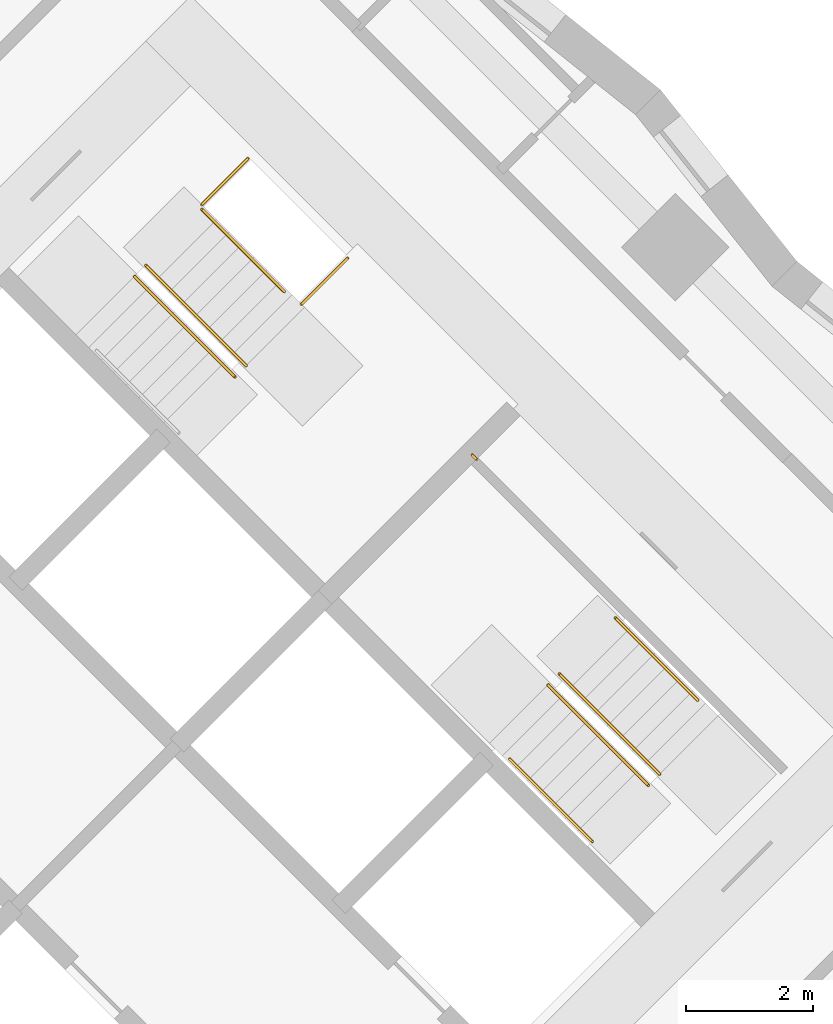
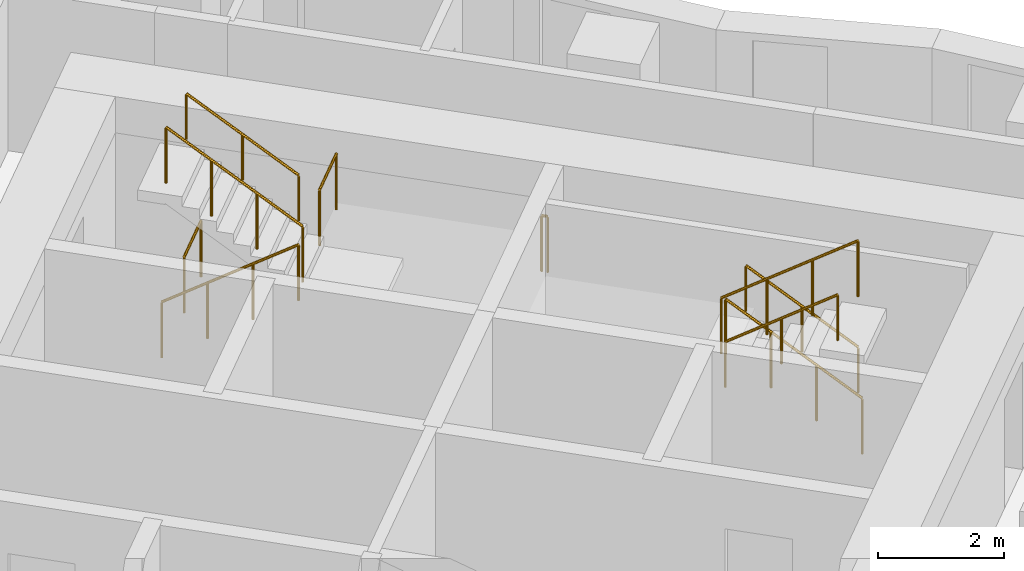
# One storey, part 12 of 12: 10 railings.
"""IFC4 building model written with IfcOpenShell, lengths in metres."""

from ifc_helpers import new_model, si_unit, direction, frame, origin, origin_2d, place, context, subcontext, project, spatial, circle, extrude, material, type_object, element, save


model = new_model("IFC4")

# Units and contexts
model_context = context("Model", 3, precision=1e-05, world=origin(), true_north=direction((0.0, 1.0)))
body_context = subcontext(model_context, "Body", "Model", "MODEL_VIEW")
ifc_project = project(units=[si_unit("LENGTHUNIT", "METRE"), si_unit("AREAUNIT", "SQUARE_METRE"), si_unit("VOLUMEUNIT", "CUBIC_METRE"), si_unit("PLANEANGLEUNIT", "RADIAN"), si_unit("MASSUNIT", "GRAM", prefix="KILO")], contexts=[model_context])

# Site, building, storey
site_placement = place(None, origin())
site = spatial("IfcSite", under=ifc_project, at=site_placement, CompositionType="ELEMENT")
building_placement = place(site_placement, origin())
building = spatial("IfcBuilding", under=site, at=building_placement, Name="Windrow Commons", CompositionType="ELEMENT")
storey_placement = place(building_placement, frame((0.0, 0.0, 37.2)))
storey = spatial("IfcBuildingStorey", under=building, at=storey_placement, Name="L09", CompositionType="ELEMENT", Elevation=37.2)

# Railings
ifc_material_1 = material(Name="Steel S355", Category="steel")
railing_type_1 = type_object("IfcRailingType", Name="Core stair guard 1100", PredefinedType="GUARDRAIL", material=ifc_material_1)
railing_1_placement = place(storey_placement, frame((85.9529, 56.2669, 0.1889)))
element("IfcRailing", 1, at=railing_1_placement, inside=storey, type_object=railing_type_1, Name="L09 ST-B1 stair guard 1", PredefinedType="GUARDRAIL", context=body_context, shape_type="SweptSolid", body=[
    extrude(circle(Radius=0.024, at=origin_2d()), frame((0.0, 0.0, 1.076), z_axis=(0.5861914914, -0.5861914914, 0.5592486664), x_axis=(0.7071067812, 0.7071067812, 0.0)), (0.0, 0.0, 1.0), 2.702),
    extrude(circle(Radius=0.021, at=origin_2d()), origin(), (0.0, 0.0, 1.0), 1.052),
    extrude(circle(Radius=0.021, at=origin_2d()), frame((0.528, -0.528, 0.5037)), (0.0, 0.0, 1.0), 1.052),
    extrude(circle(Radius=0.021, at=origin_2d()), frame((1.0559, -1.0559, 1.0074)), (0.0, 0.0, 1.0), 1.052),
    extrude(circle(Radius=0.021, at=origin_2d()), frame((1.5839, -1.5839, 1.5111)), (0.0, 0.0, 1.0), 1.052),
])
railing_2_placement = place(storey_placement, frame((87.7136, 54.8597, 1.8889)))
element("IfcRailing", 2, at=railing_2_placement, inside=storey, type_object=railing_type_1, Name="L09 ST-B1 stair guard 2", PredefinedType="GUARDRAIL", context=body_context, shape_type="SweptSolid", body=[
    extrude(circle(Radius=0.024, at=origin_2d()), frame((0.0, 0.0, 1.076), z_axis=(-0.5862030657, 0.5862030657, 0.5592244018), x_axis=(-0.7071067812, -0.7071067812, 0.0)), (0.0, 0.0, 1.0), 2.7021),
    extrude(circle(Radius=0.021, at=origin_2d()), origin(), (0.0, 0.0, 1.0), 1.052),
    extrude(circle(Radius=0.021, at=origin_2d()), frame((-0.528, 0.528, 0.5037)), (0.0, 0.0, 1.0), 1.052),
    extrude(circle(Radius=0.021, at=origin_2d()), frame((-1.056, 1.056, 1.0074)), (0.0, 0.0, 1.0), 1.052),
    extrude(circle(Radius=0.021, at=origin_2d()), frame((-1.584, 1.584, 1.5111)), (0.0, 0.0, 1.0), 1.052),
])
railing_3_placement = place(storey_placement, frame((87.0135, 57.3982, 0.0)))
element("IfcRailing", 3, at=railing_3_placement, inside=storey, type_object=railing_type_1, Name="L09 ST-B1 stair guard 3", PredefinedType="GUARDRAIL", context=body_context, shape_type="SweptSolid", body=[
    extrude(circle(Radius=0.024, at=origin_2d()), frame((0.0, 0.0, 1.076), z_axis=(0.7070582378, 0.7071553212, 0.0), x_axis=(-0.7071553212, 0.7070582378, 0.0)), (0.0, 0.0, 1.0), 1.03),
    extrude(circle(Radius=0.021, at=origin_2d()), origin(), (0.0, 0.0, 1.0), 1.052),
    extrude(circle(Radius=0.021, at=origin_2d()), frame((0.7283, 0.7284, 0.0)), (0.0, 0.0, 1.0), 1.052),
])
railing_4_placement = place(storey_placement, frame((88.5833, 55.8285, 1.7)))
element("IfcRailing", 4, at=railing_4_placement, inside=storey, type_object=railing_type_1, Name="L09 ST-B1 stair guard 4", PredefinedType="GUARDRAIL", context=body_context, shape_type="SweptSolid", body=[
    extrude(circle(Radius=0.024, at=origin_2d()), frame((0.0, 0.0, 1.076), z_axis=(0.7071067812, 0.7071067812, 0.0), x_axis=(-0.7071067812, 0.7071067812, 0.0)), (0.0, 0.0, 1.0), 1.03),
    extrude(circle(Radius=0.021, at=origin_2d()), origin(), (0.0, 0.0, 1.0), 1.052),
    extrude(circle(Radius=0.021, at=origin_2d()), frame((0.7283, 0.7283, 0.0)), (0.0, 0.0, 1.0), 1.052),
])
railing_5_placement = place(storey_placement, frame((94.2296, 48.4215, 0.1889)))
element("IfcRailing", 5, at=railing_5_placement, inside=storey, type_object=railing_type_1, Name="L09 ST-B2 stair guard 1", PredefinedType="GUARDRAIL", context=body_context, shape_type="SweptSolid", body=[
    extrude(circle(Radius=0.024, at=origin_2d()), frame((0.0, 0.0, 1.076), z_axis=(-0.5862157828, 0.5861787742, 0.5592365337), x_axis=(-0.7070844598, -0.7071291018, 0.0)), (0.0, 0.0, 1.0), 2.7021),
    extrude(circle(Radius=0.021, at=origin_2d()), origin(), (0.0, 0.0, 1.0), 1.052),
    extrude(circle(Radius=0.021, at=origin_2d()), frame((-0.528, 0.528, 0.5037)), (0.0, 0.0, 1.0), 1.052),
    extrude(circle(Radius=0.021, at=origin_2d()), frame((-1.056, 1.0559, 1.0074)), (0.0, 0.0, 1.0), 1.052),
    extrude(circle(Radius=0.021, at=origin_2d()), frame((-1.584, 1.5839, 1.5111)), (0.0, 0.0, 1.0), 1.052),
])
railing_6_placement = place(storey_placement, frame((92.4689, 49.8287, 1.8889)))
element("IfcRailing", 6, at=railing_6_placement, inside=storey, type_object=railing_type_1, Name="L09 ST-B2 stair guard 2", PredefinedType="GUARDRAIL", context=body_context, shape_type="SweptSolid", body=[
    extrude(circle(Radius=0.024, at=origin_2d()), frame((0.0, 0.0, 1.076), z_axis=(0.5861787742, -0.5862157828, 0.5592365337), x_axis=(0.7071291018, 0.7070844598, 0.0)), (0.0, 0.0, 1.0), 2.7021),
    extrude(circle(Radius=0.021, at=origin_2d()), origin(), (0.0, 0.0, 1.0), 1.052),
    extrude(circle(Radius=0.021, at=origin_2d()), frame((0.528, -0.528, 0.5037)), (0.0, 0.0, 1.0), 1.052),
    extrude(circle(Radius=0.021, at=origin_2d()), frame((1.0559, -1.056, 1.0074)), (0.0, 0.0, 1.0), 1.052),
    extrude(circle(Radius=0.021, at=origin_2d()), frame((1.5839, -1.584, 1.5111)), (0.0, 0.0, 1.0), 1.052),
])
railing_7_placement = place(storey_placement, frame((91.3446, 53.3854, 1.7)))
element("IfcRailing", 7, at=railing_7_placement, inside=storey, type_object=railing_type_1, Name="L09 ST-B2 stair guard 3", PredefinedType="GUARDRAIL", context=body_context, shape_type="SweptSolid", body=[
    extrude(circle(Radius=0.024, at=origin_2d()), frame((0.0, 0.0, 1.076), z_axis=(-0.7076063266, 0.7066068826, 0.0), x_axis=(-0.7066068826, -0.7076063266, 0.0)), (0.0, 0.0, 1.0), 0.1001),
    extrude(circle(Radius=0.021, at=origin_2d()), origin(), (0.0, 0.0, 1.0), 1.052),
    extrude(circle(Radius=0.021, at=origin_2d()), frame((-0.0708, 0.0707, 0.0)), (0.0, 0.0, 1.0), 1.052),
])
ifc_material_2 = material(Name="Steel S355", Category="steel")
railing_type_2 = type_object("IfcRailingType", Name="Core stair handrail 900", PredefinedType="HANDRAIL", material=ifc_material_2)
railing_8_placement = place(storey_placement, frame((88.3146, 56.0265, 2.1587)))
element("IfcRailing", 8, at=railing_8_placement, inside=storey, type_object=railing_type_2, Name="L09 ST-B1 stair handrail 2", PredefinedType="HANDRAIL", context=body_context, shape_type="SweptSolid", body=[
    extrude(circle(Radius=0.024, at=origin_2d()), frame((0.0, 0.0, 0.876), z_axis=(-0.586206706, 0.5861616513, 0.5592639952), x_axis=(-0.7070796062, -0.7071339551, 0.0)), (0.0, 0.0, 1.0), 2.2195),
    extrude(circle(Radius=0.021, at=origin_2d()), origin(), (0.0, 0.0, 1.0), 0.852),
    extrude(circle(Radius=0.021, at=origin_2d()), frame((-0.6506, 0.6505, 0.6207)), (0.0, 0.0, 1.0), 0.852),
    extrude(circle(Radius=0.021, at=origin_2d()), frame((-1.3011, 1.301, 1.2413)), (0.0, 0.0, 1.0), 0.852),
])
railing_9_placement = place(storey_placement, frame((94.8306, 49.5883, 0.4587)))
element("IfcRailing", 9, at=railing_9_placement, inside=storey, type_object=railing_type_2, Name="L09 ST-B2 stair handrail 1", PredefinedType="HANDRAIL", context=body_context, shape_type="SweptSolid", body=[
    extrude(circle(Radius=0.024, at=origin_2d()), frame((0.0, 0.0, 0.876), z_axis=(-0.586206706, 0.5861616513, 0.5592639952), x_axis=(-0.7070796062, -0.7071339551, 0.0)), (0.0, 0.0, 1.0), 2.2195),
    extrude(circle(Radius=0.021, at=origin_2d()), origin(), (0.0, 0.0, 1.0), 0.852),
    extrude(circle(Radius=0.021, at=origin_2d()), frame((-0.6506, 0.6505, 0.6206)), (0.0, 0.0, 1.0), 0.852),
    extrude(circle(Radius=0.021, at=origin_2d()), frame((-1.3011, 1.301, 1.2413)), (0.0, 0.0, 1.0), 0.852),
])
railing_10_placement = place(storey_placement, frame((91.8678, 48.6619, 2.1587)))
element("IfcRailing", 10, at=railing_10_placement, inside=storey, type_object=railing_type_2, Name="L09 ST-B2 stair handrail 2", PredefinedType="HANDRAIL", context=body_context, shape_type="SweptSolid", body=[
    extrude(circle(Radius=0.024, at=origin_2d()), frame((0.0, 0.0, 0.876), z_axis=(0.586206706, -0.5861616513, 0.5592639952), x_axis=(0.7070796062, 0.7071339551, 0.0)), (0.0, 0.0, 1.0), 2.2195),
    extrude(circle(Radius=0.021, at=origin_2d()), origin(), (0.0, 0.0, 1.0), 0.852),
    extrude(circle(Radius=0.021, at=origin_2d()), frame((0.6505, -0.6505, 0.6207)), (0.0, 0.0, 1.0), 0.852),
    extrude(circle(Radius=0.021, at=origin_2d()), frame((1.3011, -1.301, 1.2413)), (0.0, 0.0, 1.0), 0.852),
])

save(model, "model.ifc")
